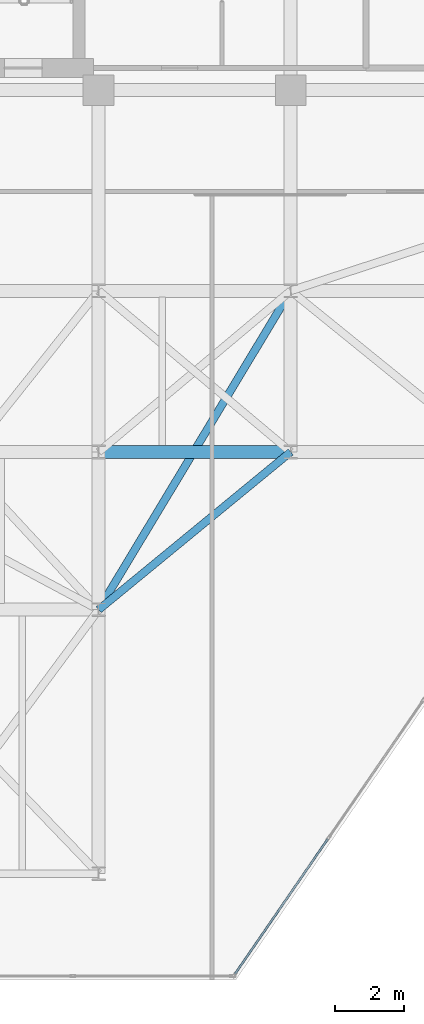
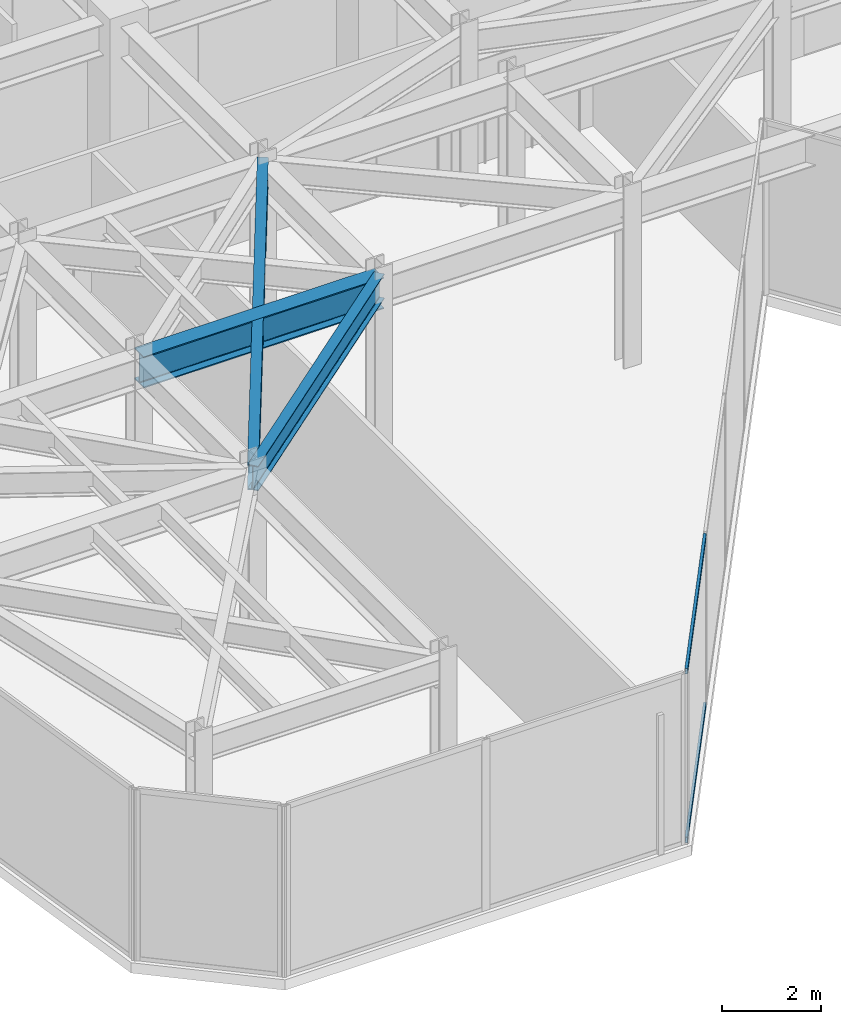
# One storey, part 5 of 25: 3 beams, 2 members, 1 element without a shape of its own.
"""IFC4 building model written with IfcOpenShell, lengths in metres."""

from ifc_helpers import new_model, si_unit, direction, frame, origin, origin_2d, place, context, subcontext, project, spatial, hollow_rectangle, i_section, extrude, material, layer, layer_set, material_profile, profile_set, type_object, element, aggregate, save


model = new_model("IFC4")

# Units and contexts
model_context = context("Model", 3, precision=1e-05, world=origin(), true_north=direction((0.0, 1.0)))
body_context = subcontext(model_context, "Body", "Model", "MODEL_VIEW")
ifc_project = project(units=[si_unit("LENGTHUNIT", "METRE"), si_unit("AREAUNIT", "SQUARE_METRE"), si_unit("VOLUMEUNIT", "CUBIC_METRE"), si_unit("PLANEANGLEUNIT", "RADIAN"), si_unit("MASSUNIT", "GRAM", prefix="KILO")], contexts=[model_context])

# Site, building, storey
site_placement = place(None, origin())
site = spatial("IfcSite", under=ifc_project, at=site_placement, CompositionType="ELEMENT")
building_placement = place(site_placement, origin())
building = spatial("IfcBuilding", under=site, at=building_placement, Name="Kravanh Interchange Tower", CompositionType="ELEMENT")
storey_placement = place(building_placement, frame((0.0, 0.0, 220.5)))
storey = spatial("IfcBuildingStorey", under=building, at=storey_placement, Name="L53", CompositionType="ELEMENT", Elevation=220.5)

# Curtain wall, members
ifc_material_1 = material(Name="Anodised Bronze Aluminium", Category="aluminium")
ifc_layer = layer(ifc_material_1, 0.179931640625)
ifc_layer_set = layer_set([ifc_layer], Name="Unitised Curtain Wall System CW-SKY Sky Observatory")
curtain_wall_type = type_object("IfcCurtainWallType", Name="Unitised Curtain Wall System CW-SKY Sky Observatory", PredefinedType="NOTDEFINED", material=ifc_layer_set)
curtain_wall_placement = place(storey_placement, origin())
curtain_wall = element("IfcCurtainWall", 1, at=curtain_wall_placement, inside=storey, type_object=curtain_wall_type, Name="L53 Unitised Curtain Wall CW-L53-06", PredefinedType="NOTDEFINED")
ifc_material_2 = material(Name="Anodised Bronze Aluminium", Category="aluminium")
ifc_material_profile_1 = material_profile(ifc_material_2, hollow_rectangle(XDim=0.06005859375, YDim=0.139892578125, WallThickness=0.00390625, at=origin_2d()), Name="ALU60X140X4")
ifc_profile_set_1 = profile_set([ifc_material_profile_1], Name="Anodised Bronze Aluminium")
member_type = type_object("IfcMemberType", Name="Curtain Wall Transom ALU60X140X4 Bronze", PredefinedType="USERDEFINED", material=ifc_profile_set_1)
member_1_placement = place(storey_placement, frame((33.8828125, 15.51416015625, 0.030029296875), z_axis=(-0.566520146881, -0.824047888886, 0.0), x_axis=(0.824047888886, -0.566520146881, 0.0)))
member_1 = element("IfcMember", 2, at=member_1_placement, type_object=member_type, Name="CW-SKY transom 4.1", ObjectType="TRANSOM", PredefinedType="USERDEFINED", context=body_context, shape_type="SweptSolid", body=[
    extrude(hollow_rectangle(XDim=0.06005859375, YDim=0.139892578125, WallThickness=0.00390625, at=origin_2d()), origin(), (0.0, 0.0, 1.0), 4.777099609375),
])
member_2_placement = place(storey_placement, frame((33.8828125, 15.51416015625, 4.18994140625), z_axis=(-0.566520146881, -0.824047888886, 0.0), x_axis=(0.824047888886, -0.566520146881, 0.0)))
member_2 = element("IfcMember", 3, at=member_2_placement, type_object=member_type, Name="CW-SKY transom 4.2", ObjectType="TRANSOM", PredefinedType="USERDEFINED", context=body_context, shape_type="SweptSolid", body=[
    extrude(hollow_rectangle(XDim=0.06005859375, YDim=0.139892578125, WallThickness=0.00390625, at=origin_2d()), origin(), (0.0, 0.0, 1.0), 4.777099609375),
])
aggregate(curtain_wall, [member_1, member_2])

# Beams
ifc_material_3 = material(Name="Structural Steel S355", Category="steel")
ifc_material_profile_2 = material_profile(ifc_material_3, i_section(OverallWidth=0.381103515625, OverallDepth=0.77294921875, WebThickness=0.0166015625, FlangeThickness=0.027099609375, FilletRadius=0.02490234375, at=origin_2d()), Name="W30X173")
ifc_profile_set_2 = profile_set([ifc_material_profile_2], Name="Structural Steel S355")
beam_type_1 = type_object("IfcBeamType", Name="Floor Beam W30X173 Structural Steel S355", PredefinedType="BEAM", material=ifc_profile_set_2)
beam_1_placement = place(storey_placement, frame((27.199951171875, 26.800048828125, 3.83349609375), z_axis=(1.0, 0.0, 0.0), x_axis=(0.0, 1.0, 0.0)))
element("IfcBeam", 4, at=beam_1_placement, inside=storey, type_object=beam_type_1, Name="L53 Primary Floor Girder 39", PredefinedType="BEAM", context=body_context, shape_type="SweptSolid", body=[
    extrude(i_section(OverallWidth=0.381103515625, OverallDepth=0.77294921875, WebThickness=0.0166015625, FlangeThickness=0.027099609375, FilletRadius=0.02490234375, at=origin_2d()), origin(), (0.0, 0.0, 1.0), 5.60009765625),
])
ifc_material_4 = material(Name="Structural Steel S355", Category="steel")
ifc_material_profile_3 = material_profile(ifc_material_4, i_section(OverallWidth=0.22802734375, OverallDepth=0.60791015625, WebThickness=0.01123046875, FlangeThickness=0.017333984375, FilletRadius=0.02197265625, at=origin_2d()), Name="W24X76")
ifc_profile_set_3 = profile_set([ifc_material_profile_3], Name="Structural Steel S355")
beam_type_2 = type_object("IfcBeamType", Name="Floor Spandrel W24X76 Structural Steel S355", PredefinedType="SPANDREL", material=ifc_profile_set_3)
beam_2_placement = place(storey_placement, frame((32.800048828125, 26.800048828125, 3.916015625), z_axis=(-0.772725074305, -0.634740860147, 0.0), x_axis=(0.634740860147, -0.772725074305, 0.0)))
element("IfcBeam", 5, at=beam_2_placement, inside=storey, type_object=beam_type_2, Name="L53 Perimeter Spandrel 43", PredefinedType="SPANDREL", context=body_context, shape_type="SweptSolid", body=[
    extrude(i_section(OverallWidth=0.22802734375, OverallDepth=0.60791015625, WebThickness=0.01123046875, FlangeThickness=0.017333984375, FilletRadius=0.02197265625, at=origin_2d()), origin(), (0.0, 0.0, 1.0), 7.247314453125),
])
beam_3_placement = place(storey_placement, frame((32.800048828125, 31.5, 3.916015625), z_axis=(-0.515854375109, -0.856676288735, 0.0), x_axis=(0.856676288735, -0.515854375109, 0.0)))
element("IfcBeam", 6, at=beam_3_placement, inside=storey, type_object=beam_type_2, Name="L53 Perimeter Spandrel 69", PredefinedType="SPANDREL", context=body_context, shape_type="SweptSolid", body=[
    extrude(i_section(OverallWidth=0.22802734375, OverallDepth=0.60791015625, WebThickness=0.01123046875, FlangeThickness=0.017333984375, FilletRadius=0.02197265625, at=origin_2d()), origin(), (0.0, 0.0, 1.0), 10.85595703125),
])

save(model, "model.ifc")
